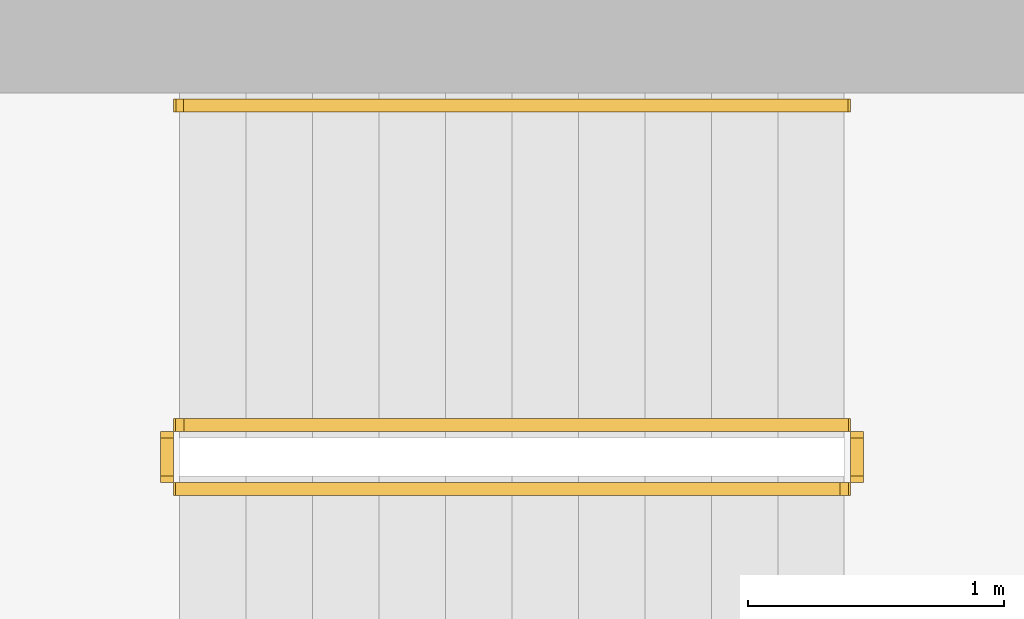
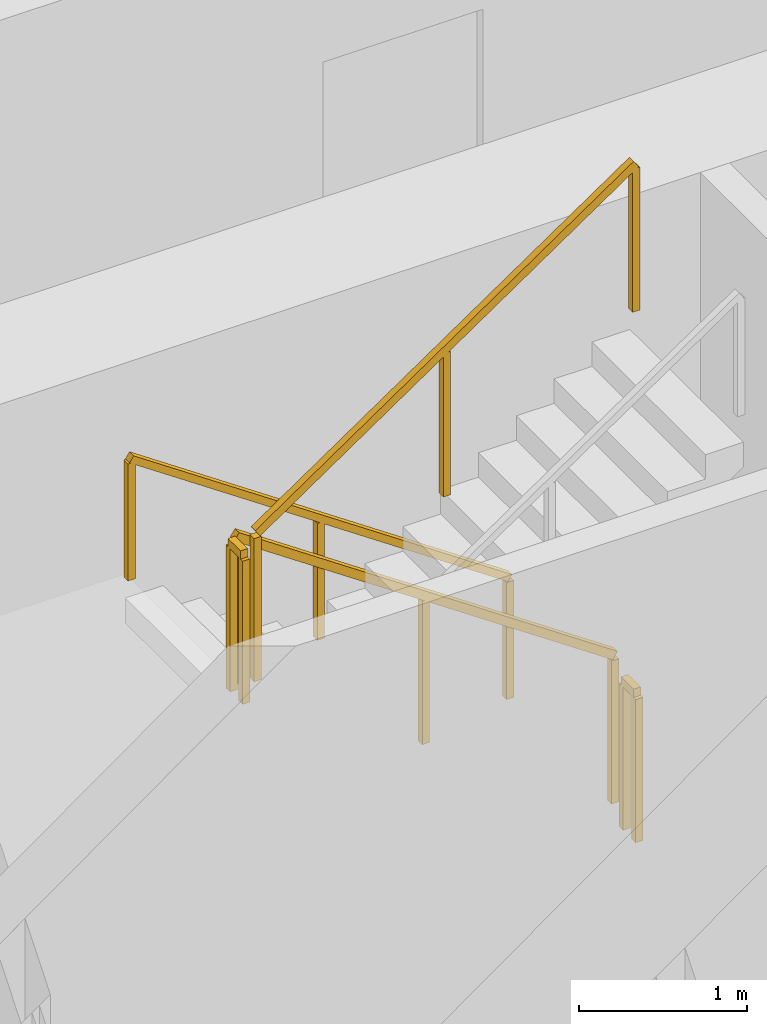
# One storey, part 14 of 15: 5 railings.
"""IFC4 building model written with IfcOpenShell, lengths in metres."""

from ifc_helpers import new_model, si_unit, direction, frame, origin, origin_2d, place, context, subcontext, project, spatial, rectangle, extrude, material, type_object, element, save


model = new_model("IFC4")

# Units and contexts
model_context = context("Model", 3, precision=1e-05, world=origin(), true_north=direction((0.0, 1.0)))
body_context = subcontext(model_context, "Body", "Model", "MODEL_VIEW")
ifc_project = project(units=[si_unit("LENGTHUNIT", "METRE"), si_unit("AREAUNIT", "SQUARE_METRE"), si_unit("VOLUMEUNIT", "CUBIC_METRE"), si_unit("PLANEANGLEUNIT", "RADIAN"), si_unit("MASSUNIT", "GRAM", prefix="KILO")], contexts=[model_context])

# Site, building, storey
site_placement = place(None, origin())
site = spatial("IfcSite", under=ifc_project, at=site_placement, CompositionType="ELEMENT")
building_placement = place(site_placement, origin())
building = spatial("IfcBuilding", under=site, at=building_placement, Name="Khepri Terraces", CompositionType="ELEMENT")
storey_placement = place(building_placement, frame((0.0, 0.0, 38.699951171875)))
storey = spatial("IfcBuildingStorey", under=building, at=storey_placement, Name="L08", CompositionType="ELEMENT", Elevation=38.699951171875)

# Railings
ifc_material = material(Name="Stainless steel 316", Category="steel")
railing_type_1 = type_object("IfcRailingType", Name="RL-CORE-GUARD", PredefinedType="GUARDRAIL", material=ifc_material)
railing_1_placement = place(storey_placement, frame((-0.25, 8.800048828125, 0.17724609375)))
element("IfcRailing", 1, at=railing_1_placement, inside=storey, type_object=railing_type_1, Name="L08 ST-3 stair guard 1", PredefinedType="GUARDRAIL", context=body_context, shape_type="SweptSolid", body=[
    extrude(rectangle(XDim=0.050048828125, YDim=0.06005859375, at=origin_2d()), frame((0.0, 0.0, 1.070068359375), z_axis=(-0.826240473404, 0.0, 0.563317565952), x_axis=(0.0, -1.0, 0.0)), (0.0, 0.0, 1.0), 3.14697265625),
    extrude(rectangle(XDim=0.050048828125, YDim=0.050048828125, at=origin_2d()), origin(), (0.0, 0.0, 1.0), 1.0400390625),
    extrude(rectangle(XDim=0.050048828125, YDim=0.050048828125, at=origin_2d()), frame((-1.300048828125, 0.0, 0.88623046875)), (0.0, 0.0, 1.0), 1.0400390625),
    extrude(rectangle(XDim=0.050048828125, YDim=0.050048828125, at=origin_2d()), frame((-2.60009765625, 0.0, 1.772705078125)), (0.0, 0.0, 1.0), 1.0400390625),
])
railing_2_placement = place(storey_placement, frame((-2.89990234375, 8.75, 1.949951171875)))
element("IfcRailing", 2, at=railing_2_placement, inside=storey, type_object=railing_type_1, Name="L08 ST-3 stair guard 2", PredefinedType="GUARDRAIL", context=body_context, shape_type="SweptSolid", body=[
    extrude(rectangle(XDim=0.050048828125, YDim=0.06005859375, at=origin_2d()), frame((0.0, 0.0, 1.070068359375), z_axis=(0.0, -1.0, 0.0), x_axis=(1.0, 0.0, 0.0)), (0.0, 0.0, 1.0), 0.14990234375),
    extrude(rectangle(XDim=0.050048828125, YDim=0.050048828125, at=origin_2d()), origin(), (0.0, 0.0, 1.0), 1.0400390625),
    extrude(rectangle(XDim=0.050048828125, YDim=0.050048828125, at=origin_2d()), frame((0.0, -0.14990234375, 0.0)), (0.0, 0.0, 1.0), 1.0400390625),
])
railing_3_placement = place(storey_placement, frame((-2.85009765625, 8.550048828125, 2.12744140625)))
element("IfcRailing", 3, at=railing_3_placement, inside=storey, type_object=railing_type_1, Name="L08 ST-3 stair guard 3", PredefinedType="GUARDRAIL", context=body_context, shape_type="SweptSolid", body=[
    extrude(rectangle(XDim=0.050048828125, YDim=0.06005859375, at=origin_2d()), frame((0.0, 0.0, 1.070068359375), z_axis=(0.826240473404, 0.0, 0.563317565952), x_axis=(0.0, 1.0, 0.0)), (0.0, 0.0, 1.0), 3.14697265625),
    extrude(rectangle(XDim=0.050048828125, YDim=0.050048828125, at=origin_2d()), origin(), (0.0, 0.0, 1.0), 1.0400390625),
    extrude(rectangle(XDim=0.050048828125, YDim=0.050048828125, at=origin_2d()), frame((1.300048828125, 0.0, 0.88623046875)), (0.0, 0.0, 1.0), 1.0400390625),
    extrude(rectangle(XDim=0.050048828125, YDim=0.050048828125, at=origin_2d()), frame((2.60009765625, 0.0, 1.772705078125)), (0.0, 0.0, 1.0), 1.0400390625),
])
railing_4_placement = place(storey_placement, frame((-0.199951171875, 8.75, 0.0)))
element("IfcRailing", 4, at=railing_4_placement, inside=storey, type_object=railing_type_1, Name="L08 ST-3 stair guard 4", PredefinedType="GUARDRAIL", context=body_context, shape_type="SweptSolid", body=[
    extrude(rectangle(XDim=0.050048828125, YDim=0.06005859375, at=origin_2d()), frame((0.0, 0.0, 1.070068359375), z_axis=(0.0, -1.0, 0.0), x_axis=(1.0, 0.0, 0.0)), (0.0, 0.0, 1.0), 0.14990234375),
    extrude(rectangle(XDim=0.050048828125, YDim=0.050048828125, at=origin_2d()), origin(), (0.0, 0.0, 1.0), 1.0400390625),
    extrude(rectangle(XDim=0.050048828125, YDim=0.050048828125, at=origin_2d()), frame((0.0, -0.14990234375, 0.0)), (0.0, 0.0, 1.0), 1.0400390625),
])
railing_type_2 = type_object("IfcRailingType", Name="RL-CORE-HANDRAIL", PredefinedType="HANDRAIL", material=ifc_material)
railing_5_placement = place(storey_placement, frame((-0.25, 10.050048828125, 0.17724609375)))
element("IfcRailing", 5, at=railing_5_placement, inside=storey, type_object=railing_type_2, Name="L08 ST-3 stair handrail 1", PredefinedType="HANDRAIL", context=body_context, shape_type="SweptSolid", body=[
    extrude(rectangle(XDim=0.050048828125, YDim=0.050048828125, at=origin_2d()), frame((0.0, 0.0, 0.875), z_axis=(-0.826240473404, 0.0, 0.563317565952), x_axis=(0.0, -1.0, 0.0)), (0.0, 0.0, 1.0), 3.14697265625),
    extrude(rectangle(XDim=0.050048828125, YDim=0.050048828125, at=origin_2d()), origin(), (0.0, 0.0, 1.0), 0.849853515625),
    extrude(rectangle(XDim=0.050048828125, YDim=0.050048828125, at=origin_2d()), frame((-1.300048828125, 0.0, 0.88623046875)), (0.0, 0.0, 1.0), 0.849853515625),
    extrude(rectangle(XDim=0.050048828125, YDim=0.050048828125, at=origin_2d()), frame((-2.60009765625, 0.0, 1.772705078125)), (0.0, 0.0, 1.0), 0.849853515625),
])

save(model, "model.ifc")
